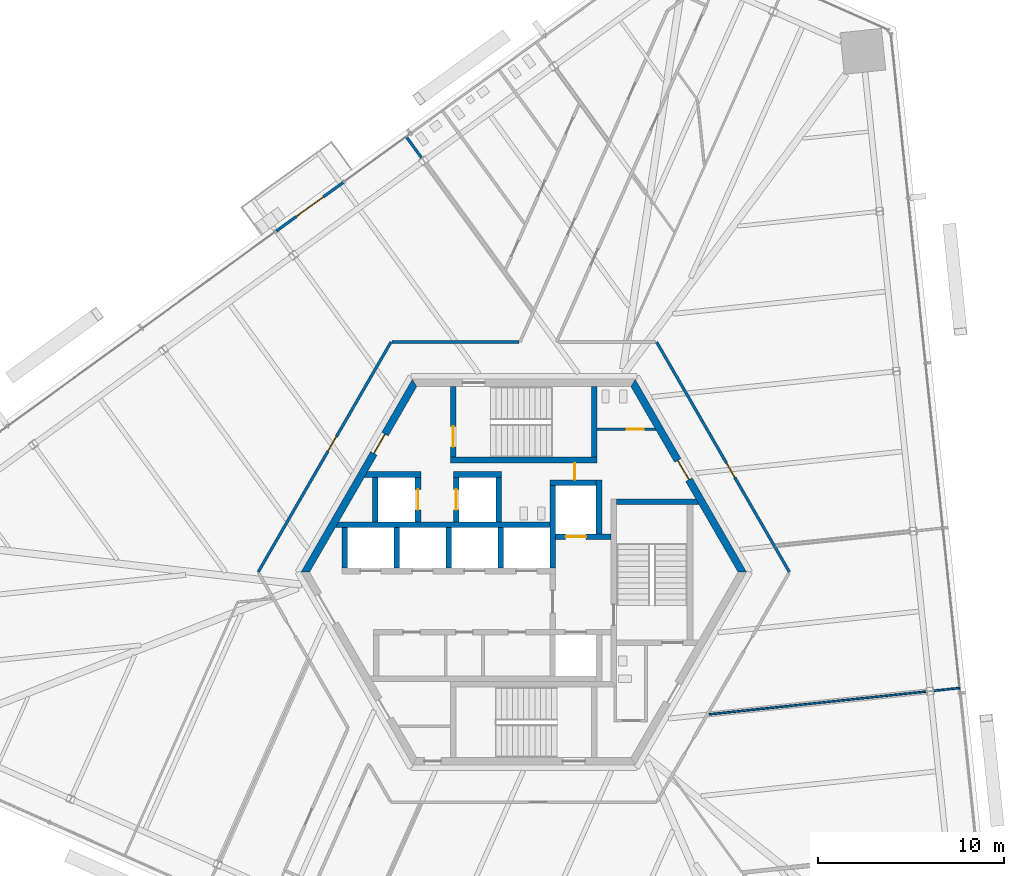
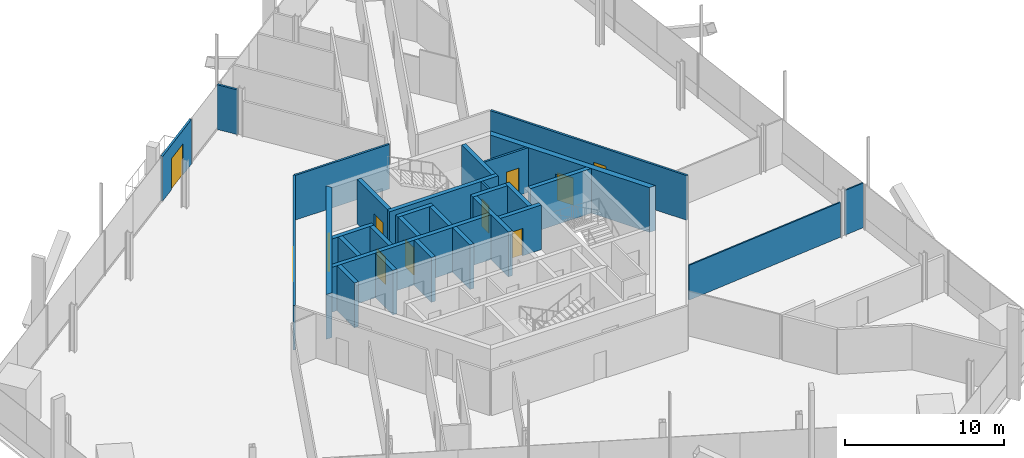
# One storey, part 13 of 21: 30 walls, 11 doors, 11 openings.
"""IFC4 building model written with IfcOpenShell, lengths in metres."""

from ifc_helpers import new_model, si_unit, direction, frame, frame_2d, origin, place, context, subcontext, project, spatial, polyline, rectangle, outline, extrude, source, transform, mapped, material, layer, layer_set, type_object, element, fill, save


model = new_model("IFC4")

# Units and contexts
model_context = context("Model", 3, precision=1e-05, world=origin(), true_north=direction((0.0, 1.0)))
body_context = subcontext(model_context, "Body", "Model", "MODEL_VIEW")
ifc_project = project(units=[si_unit("LENGTHUNIT", "METRE"), si_unit("AREAUNIT", "SQUARE_METRE"), si_unit("VOLUMEUNIT", "CUBIC_METRE"), si_unit("PLANEANGLEUNIT", "RADIAN"), si_unit("MASSUNIT", "GRAM", prefix="KILO")], contexts=[model_context])

# Site, building, storey
site_placement = place(None, origin())
site = spatial("IfcSite", under=ifc_project, at=site_placement, CompositionType="ELEMENT")
building_placement = place(site_placement, origin())
building = spatial("IfcBuilding", under=site, at=building_placement, Name="Triune Harvest Tower", CompositionType="ELEMENT")
storey_placement = place(building_placement, frame((0.0, 0.0, 65.699951171875)))
storey = spatial("IfcBuildingStorey", under=building, at=storey_placement, Name="L15", CompositionType="ELEMENT", Elevation=65.699951171875)

# Wall, opening, door
ifc_material_1 = material(Name="Concrete 70 MPa", Category="concrete")
ifc_layer_1 = layer(ifc_material_1, 0.39990234375)
ifc_layer_set_1 = layer_set([ifc_layer_1], Name="Concrete 70 MPa")
wall_type_1 = type_object("IfcWallType", Name="Core wall 400", PredefinedType="SHEAR", material=ifc_layer_set_1)
shared_shape_1 = source(origin(), body_context, "Body", "SweptSolid", [
    extrude(outline(polyline([(-0.115478515625, -0.199951171875), (11.884521484375, -0.199951171875), (11.653564453125, 0.199951171875), (0.115478515625, 0.199951171875), (-0.115478515625, -0.199951171875)])), origin(), (0.0, 0.0, 1.0), 3.43994140625),
])
wall_1_placement = place(storey_placement, frame((11.76904296875, 0.0, 0.0), z_axis=(0.0, 0.0, 1.0), x_axis=(-0.499996592174, 0.866027371285, 0.0)))
wall_1 = element("IfcWall", 1, at=wall_1_placement, inside=storey, type_object=wall_type_1, Name="Hexagon 0 wall", PredefinedType="SHEAR", context=body_context, shape_type="MappedRepresentation", body=[
    mapped(shared_shape_1, transform((0.0, 0.0, 0.0), scale=1.0)),
])
opening_1_placement = place(wall_1_placement, frame((5.75048828125, 0.0, 0.0)))
opening_1 = element("IfcOpeningElement", 2, at=opening_1_placement, cuts=wall_1, Name="Opening CD-WCP", PredefinedType="OPENING", context=body_context, shape_type="SweptSolid", body=[
    extrude(rectangle(XDim=1.199951171875, YDim=2.10009765625, at=frame_2d((0.60009765625, 1.050048828125))), frame((0.0, 0.2099609375, 0.0), z_axis=(0.0, -1.0, 0.0), x_axis=(1.0, 0.0, 0.0)), (0.0, 0.0, 1.0), 0.419921875),
])
ifc_material_2 = material(Name="Steel S235", Category="steel")
door_type_1 = type_object("IfcDoorType", Name="Lobby door 1200 FD120", OperationType="SINGLE_SWING_LEFT", PredefinedType="DOOR", material=ifc_material_2)
door_1_placement = place(opening_1_placement, frame((1.199951171875, 0.0, 0.0), z_axis=(0.0, 0.0, 1.0), x_axis=(-1.0, 0.0, 0.0)))
door_1 = element("IfcDoor", 3, at=door_1_placement, inside=storey, type_object=door_type_1, Name="Door CD-WCP", OperationType="SINGLE_SWING_RIGHT", OverallHeight=2.10009765625, OverallWidth=1.199951171875, PredefinedType="DOOR", context=body_context, shape_type="SweptSolid", body=[
    extrude(rectangle(XDim=1.199951171875, YDim=2.10009765625, at=frame_2d((0.60009765625, 1.050048828125))), frame((0.0, 0.02490234375, 0.0), z_axis=(0.0, -1.0, 0.0), x_axis=(1.0, 0.0, 0.0)), (0.0, 0.0, 1.0), 0.050048828125),
])
fill(opening_1, door_1)

wall_2_placement = place(storey_placement, frame((-5.884521484375, 10.1923828125, 0.0), z_axis=(0.0, 0.0, 1.0), x_axis=(-0.499996592174, -0.866027371285, 0.0)))
wall_2 = element("IfcWall", 4, at=wall_2_placement, inside=storey, type_object=wall_type_1, Name="Hexagon 2 wall", PredefinedType="SHEAR", context=body_context, shape_type="MappedRepresentation", body=[
    mapped(shared_shape_1, transform((0.0, 0.0, 0.0), scale=1.0)),
])
opening_2_placement = place(wall_2_placement, frame((3.1845703125, 0.0, 0.0)))
opening_2 = element("IfcOpeningElement", 5, at=opening_2_placement, cuts=wall_2, Name="Opening CD-SVP", PredefinedType="OPENING", context=body_context, shape_type="SweptSolid", body=[
    extrude(rectangle(XDim=1.199951171875, YDim=2.10009765625, at=frame_2d((0.60009765625, 1.050048828125))), frame((0.0, 0.2099609375, 0.0), z_axis=(0.0, -1.0, 0.0), x_axis=(1.0, 0.0, 0.0)), (0.0, 0.0, 1.0), 0.419921875),
])
ifc_material_3 = material(Name="Steel S235", Category="steel")
door_type_2 = type_object("IfcDoorType", Name="Service door 1200 FD120", OperationType="SINGLE_SWING_LEFT", PredefinedType="DOOR", material=ifc_material_3)
door_2_placement = place(opening_2_placement, frame((1.199951171875, 0.0, 0.0), z_axis=(0.0, 0.0, 1.0), x_axis=(-1.0, 0.0, 0.0)))
door_2 = element("IfcDoor", 6, at=door_2_placement, inside=storey, type_object=door_type_2, Name="Door CD-SVP", OperationType="SINGLE_SWING_RIGHT", OverallHeight=2.10009765625, OverallWidth=1.199951171875, PredefinedType="DOOR", context=body_context, shape_type="SweptSolid", body=[
    extrude(rectangle(XDim=1.199951171875, YDim=2.10009765625, at=frame_2d((0.60009765625, 1.050048828125))), frame((0.0, 0.02490234375, 0.0), z_axis=(0.0, -1.0, 0.0), x_axis=(1.0, 0.0, 0.0)), (0.0, 0.0, 1.0), 0.050048828125),
])
fill(opening_2, door_2)

# Walls
ifc_material_4 = material(Name="Concrete 70 MPa", Category="concrete")
ifc_layer_2 = layer(ifc_material_4, 0.300048828125)
ifc_layer_set_2 = layer_set([ifc_layer_2], Name="Concrete 70 MPa")
wall_type_2 = type_object("IfcWallType", Name="Core wall 300", PredefinedType="SHEAR", material=ifc_layer_set_2)
shared_shape_2 = source(origin(), body_context, "Body", "SweptSolid", [
    extrude(outline(polyline([(11.199951171875, -0.14990234375), (-0.34912109375, -0.14990234375), (-0.17578125, 0.14990234375), (11.199951171875, 0.14990234375), (11.199951171875, -0.14990234375)])), origin(), (0.0, 0.0, 1.0), 3.43994140625),
])
wall_3_placement = place(storey_placement, frame((-9.800048828125, 2.56005859375, 0.0), z_axis=(0.0, 0.0, 1.0), x_axis=(1.0, 0.0, 0.0)))
element("IfcWall", 7, at=wall_3_placement, inside=storey, type_object=wall_type_2, Name="North back wall", PredefinedType="SHEAR", context=body_context, shape_type="MappedRepresentation", body=[
    mapped(shared_shape_2, transform((0.0, 0.0, 0.0), scale=1.0)),
])
shared_shape_3 = source(origin(), body_context, "Body", "SweptSolid", [
    extrude(rectangle(XDim=2.5, YDim=0.300048828125, at=frame_2d((1.25, 0.0))), origin(), (0.0, 0.0, 1.0), 3.43994140625),
])
wall_4_placement = place(storey_placement, frame((1.39990234375, 4.81005859375, 0.0), z_axis=(0.0, 0.0, 1.0), x_axis=(1.0, 0.0, 0.0)))
element("IfcWall", 8, at=wall_4_placement, inside=storey, type_object=wall_type_2, Name="Ff1 back wall", PredefinedType="SHEAR", context=body_context, shape_type="MappedRepresentation", body=[
    mapped(shared_shape_3, transform((0.0, 0.0, 0.0), scale=1.0)),
])
shared_shape_4 = source(origin(), body_context, "Body", "SweptSolid", [
    extrude(rectangle(XDim=4.449951171875, YDim=0.300048828125, at=frame_2d((2.22509765625, 0.0))), origin(), (0.0, 0.0, 1.0), 3.43994140625),
])
wall_5_placement = place(storey_placement, frame((1.550048828125, 0.2099609375, 0.0), z_axis=(0.0, 0.0, 1.0), x_axis=(0.0, 1.0, 0.0)))
element("IfcWall", 9, at=wall_5_placement, inside=storey, type_object=wall_type_2, Name="Ff1 west wall", PredefinedType="SHEAR", context=body_context, shape_type="MappedRepresentation", body=[
    mapped(shared_shape_4, transform((0.0, 0.0, 0.0), scale=1.0)),
])

# Wall, opening, door
shared_shape_5 = source(origin(), body_context, "Body", "SweptSolid", [
    extrude(rectangle(XDim=3.0, YDim=0.300048828125, at=frame_2d((1.5, 0.0))), origin(), (0.0, 0.0, 1.0), 3.43994140625),
])
wall_6_placement = place(storey_placement, frame((1.699951171875, 1.909912109375, 0.0), z_axis=(0.0, 0.0, 1.0), x_axis=(1.0, 0.0, 0.0)))
wall_6 = element("IfcWall", 10, at=wall_6_placement, inside=storey, type_object=wall_type_2, Name="Ff1 front wall", PredefinedType="SHEAR", context=body_context, shape_type="MappedRepresentation", body=[
    mapped(shared_shape_5, transform((0.0, 0.0, 0.0), scale=1.0)),
])
opening_3_placement = place(wall_6_placement, frame((0.550048828125, 0.0, 0.0)))
opening_3 = element("IfcOpeningElement", 11, at=opening_3_placement, cuts=wall_6, Name="Opening LD-FF1-15", PredefinedType="OPENING", context=body_context, shape_type="SweptSolid", body=[
    extrude(rectangle(XDim=1.10009765625, YDim=2.10009765625, at=frame_2d((0.550048828125, 1.050048828125))), frame((0.0, 0.16015625, 0.0), z_axis=(0.0, -1.0, 0.0), x_axis=(1.0, 0.0, 0.0)), (0.0, 0.0, 1.0), 0.320068359375),
])
ifc_material_5 = material(Name="Stainless steel AISI 304", Category="steel")
door_type_3 = type_object("IfcDoorType", Name="Landing door 1100 x 2100", OperationType="DOUBLE_DOOR_SLIDING", PredefinedType="DOOR", material=ifc_material_5)
door_3_placement = place(opening_3_placement, origin())
door_3 = element("IfcDoor", 12, at=door_3_placement, inside=storey, type_object=door_type_3, Name="Door LD-FF1-15", OperationType="DOUBLE_DOOR_SLIDING", OverallHeight=2.10009765625, OverallWidth=1.10009765625, PredefinedType="DOOR", context=body_context, shape_type="SweptSolid", body=[
    extrude(rectangle(XDim=1.10009765625, YDim=2.10009765625, at=frame_2d((0.550048828125, 1.050048828125))), frame((0.0, 0.02490234375, 0.0), z_axis=(0.0, -1.0, 0.0), x_axis=(1.0, 0.0, 0.0)), (0.0, 0.0, 1.0), 0.050048828125),
])
fill(opening_3, door_3)

# Walls
shared_shape_6 = source(origin(), body_context, "Body", "SweptSolid", [
    extrude(rectangle(XDim=2.89990234375, YDim=0.300048828125, at=frame_2d((1.449951171875, 0.0))), origin(), (0.0, 0.0, 1.0), 3.43994140625),
])
wall_7_placement = place(storey_placement, frame((4.050048828125, 2.06005859375, 0.0), z_axis=(0.0, 0.0, 1.0), x_axis=(0.0, 1.0, 0.0)))
element("IfcWall", 13, at=wall_7_placement, inside=storey, type_object=wall_type_2, Name="Ff1 east wall", PredefinedType="SHEAR", context=body_context, shape_type="MappedRepresentation", body=[
    mapped(shared_shape_6, transform((0.0, 0.0, 0.0), scale=1.0)),
])
shared_shape_7 = source(origin(), body_context, "Body", "SweptSolid", [
    extrude(rectangle(XDim=2.199951171875, YDim=0.300048828125, at=frame_2d((1.10009765625, 0.0))), origin(), (0.0, 0.0, 1.0), 3.43994140625),
])
for number, where, z_axis, x_axis, name in (
    (14, (-9.64990234375, 0.2099609375, 0.0), (0.0, 0.0, 1.0), (0.0, 1.0, 0.0), "North end west wall"),
    (15, (-6.85009765625, 0.2099609375, 0.0), (0.0, 0.0, 1.0), (0.0, 1.0, 0.0), "North cross 1 wall"),
    (16, (-4.050048828125, 0.2099609375, 0.0), (0.0, 0.0, 1.0), (0.0, 1.0, 0.0), "North cross 2 wall"),
    (17, (-1.25, 0.2099609375, 0.0), (0.0, 0.0, 1.0), (0.0, 1.0, 0.0), "North cross 3 wall"),
):
    element("IfcWall", number, at=place(storey_placement, frame(where, z_axis=z_axis, x_axis=x_axis)), inside=storey, type_object=wall_type_2, Name=name, PredefinedType="SHEAR", context=body_context, shape_type="MappedRepresentation", body=[
        mapped(shared_shape_7, transform((0.0, 0.0, 0.0), scale=1.0)),
    ])
shared_shape_8 = source(origin(), body_context, "Body", "SweptSolid", [
    extrude(outline(polyline([(0.0, -0.14990234375), (0.0, 0.14990234375), (4.260009765625, 0.14990234375), (4.43310546875, -0.14990234375), (0.0, -0.14990234375)])), origin(), (0.0, 0.0, 1.0), 3.43994140625),
])
wall_8_placement = place(storey_placement, frame((5.0, 3.800048828125, 0.0), z_axis=(0.0, 0.0, 1.0), x_axis=(1.0, 0.0, 0.0)))
element("IfcWall", 18, at=wall_8_placement, inside=storey, type_object=wall_type_2, Name="Stair e north wall", PredefinedType="SHEAR", context=body_context, shape_type="MappedRepresentation", body=[
    mapped(shared_shape_8, transform((0.0, 0.0, 0.0), scale=1.0)),
])
shared_shape_9 = source(origin(), body_context, "Body", "SweptSolid", [
    extrude(rectangle(XDim=7.89990234375, YDim=0.300048828125, at=frame_2d((3.949951171875, 0.0))), origin(), (0.0, 0.0, 1.0), 3.43994140625),
])
wall_9_placement = place(storey_placement, frame((-3.949951171875, 6.0400390625, 0.0), z_axis=(0.0, 0.0, 1.0), x_axis=(1.0, 0.0, 0.0)))
element("IfcWall", 19, at=wall_9_placement, inside=storey, type_object=wall_type_2, Name="Stair n south wall", PredefinedType="SHEAR", context=body_context, shape_type="MappedRepresentation", body=[
    mapped(shared_shape_9, transform((0.0, 0.0, 0.0), scale=1.0)),
])

# Wall, opening, door
shared_shape_10 = source(origin(), body_context, "Body", "SweptSolid", [
    extrude(outline(polyline([(0.0, -0.14990234375), (0.0, 0.14990234375), (3.80419921875, 0.14990234375), (3.80419921875, -0.14990234375), (0.0, -0.14990234375)])), origin(), (0.0, 0.0, 1.0), 3.43994140625),
])
wall_10_placement = place(storey_placement, frame((-3.800048828125, 6.18994140625, 0.0), z_axis=(0.0, 0.0, 1.0), x_axis=(0.0, 1.0, 0.0)))
wall_10 = element("IfcWall", 20, at=wall_10_placement, inside=storey, type_object=wall_type_2, Name="Stair n west wall", PredefinedType="SHEAR", context=body_context, shape_type="MappedRepresentation", body=[
    mapped(shared_shape_10, transform((0.0, 0.0, 0.0), scale=1.0)),
])
opening_4_placement = place(wall_10_placement, frame((0.56005859375, 0.0, 0.0)))
opening_4 = element("IfcOpeningElement", 21, at=opening_4_placement, cuts=wall_10, Name="Opening CD-S1L", PredefinedType="OPENING", context=body_context, shape_type="SweptSolid", body=[
    extrude(rectangle(XDim=1.10009765625, YDim=2.10009765625, at=frame_2d((0.550048828125, 1.050048828125))), frame((0.0, 0.16015625, 0.0), z_axis=(0.0, -1.0, 0.0), x_axis=(1.0, 0.0, 0.0)), (0.0, 0.0, 1.0), 0.320068359375),
])
ifc_material_6 = material(Name="Steel S235", Category="steel")
door_type_4 = type_object("IfcDoorType", Name="Stair door 1100 FD120", OperationType="SINGLE_SWING_LEFT", PredefinedType="DOOR", material=ifc_material_6)
door_4_placement = place(opening_4_placement, frame((1.10009765625, 0.0, 0.0), z_axis=(0.0, 0.0, 1.0), x_axis=(-1.0, 0.0, 0.0)))
door_4 = element("IfcDoor", 22, at=door_4_placement, inside=storey, type_object=door_type_4, Name="Door CD-S1L", OperationType="SINGLE_SWING_RIGHT", OverallHeight=2.10009765625, OverallWidth=1.10009765625, PredefinedType="DOOR", context=body_context, shape_type="SweptSolid", body=[
    extrude(rectangle(XDim=1.10009765625, YDim=2.10009765625, at=frame_2d((0.550048828125, 1.050048828125))), frame((0.0, 0.02490234375, 0.0), z_axis=(0.0, -1.0, 0.0), x_axis=(1.0, 0.0, 0.0)), (0.0, 0.0, 1.0), 0.050048828125),
])
fill(opening_4, door_4)

# Walls
wall_11_placement = place(storey_placement, frame((3.800048828125, 6.18994140625, 0.0), z_axis=(0.0, 0.0, 1.0), x_axis=(0.0, 1.0, 0.0)))
element("IfcWall", 23, at=wall_11_placement, inside=storey, type_object=wall_type_2, Name="Stair n east wall", PredefinedType="SHEAR", context=body_context, shape_type="MappedRepresentation", body=[
    mapped(shared_shape_10, transform((0.0, 0.0, 0.0), scale=1.0)),
])
shared_shape_11 = source(origin(), body_context, "Body", "SweptSolid", [
    extrude(outline(polyline([(2.60009765625, -0.14990234375), (-0.440185546875, -0.14990234375), (-0.26708984375, 0.14990234375), (2.60009765625, 0.14990234375), (2.60009765625, -0.14990234375)])), origin(), (0.0, 0.0, 1.0), 3.43994140625),
])
wall_12_placement = place(storey_placement, frame((-8.14990234375, 5.260009765625, 0.0), z_axis=(0.0, 0.0, 1.0), x_axis=(1.0, 0.0, 0.0)))
element("IfcWall", 24, at=wall_12_placement, inside=storey, type_object=wall_type_2, Name="Sv1 north wall", PredefinedType="SHEAR", context=body_context, shape_type="MappedRepresentation", body=[
    mapped(shared_shape_11, transform((0.0, 0.0, 0.0), scale=1.0)),
])
shared_shape_12 = source(origin(), body_context, "Body", "SweptSolid", [
    extrude(rectangle(XDim=2.400146484375, YDim=0.300048828125, at=frame_2d((1.2001953125, 0.0))), origin(), (0.0, 0.0, 1.0), 3.43994140625),
])
wall_13_placement = place(storey_placement, frame((-8.0, 2.7099609375, 0.0), z_axis=(0.0, 0.0, 1.0), x_axis=(0.0, 1.0, 0.0)))
element("IfcWall", 25, at=wall_13_placement, inside=storey, type_object=wall_type_2, Name="Sv1 west wall", PredefinedType="SHEAR", context=body_context, shape_type="MappedRepresentation", body=[
    mapped(shared_shape_12, transform((0.0, 0.0, 0.0), scale=1.0)),
])

# Wall, opening, door
wall_14_placement = place(storey_placement, frame((-5.699951171875, 2.7099609375, 0.0), z_axis=(0.0, 0.0, 1.0), x_axis=(0.0, 1.0, 0.0)))
wall_14 = element("IfcWall", 26, at=wall_14_placement, inside=storey, type_object=wall_type_2, Name="Sv1 east wall", PredefinedType="SHEAR", context=body_context, shape_type="MappedRepresentation", body=[
    mapped(shared_shape_12, transform((0.0, 0.0, 0.0), scale=1.0)),
])
opening_5_placement = place(wall_14_placement, frame((0.64990234375, 0.0, 0.0)))
opening_5 = element("IfcOpeningElement", 27, at=opening_5_placement, cuts=wall_14, Name="Opening LD-SV1-15", PredefinedType="OPENING", context=body_context, shape_type="SweptSolid", body=[
    extrude(rectangle(XDim=1.10009765625, YDim=2.10009765625, at=frame_2d((0.550048828125, 1.050048828125))), frame((0.0, 0.16015625, 0.0), z_axis=(0.0, -1.0, 0.0), x_axis=(1.0, 0.0, 0.0)), (0.0, 0.0, 1.0), 0.320068359375),
])
door_5_placement = place(opening_5_placement, origin())
door_5 = element("IfcDoor", 28, at=door_5_placement, inside=storey, type_object=door_type_3, Name="Door LD-SV1-15", OperationType="DOUBLE_DOOR_SLIDING", OverallHeight=2.10009765625, OverallWidth=1.10009765625, PredefinedType="DOOR", context=body_context, shape_type="SweptSolid", body=[
    extrude(rectangle(XDim=1.10009765625, YDim=2.10009765625, at=frame_2d((0.550048828125, 1.050048828125))), frame((0.0, 0.02490234375, 0.0), z_axis=(0.0, -1.0, 0.0), x_axis=(1.0, 0.0, 0.0)), (0.0, 0.0, 1.0), 0.050048828125),
])
fill(opening_5, door_5)

wall_15_placement = place(storey_placement, frame((-3.64990234375, 2.7099609375, 0.0), z_axis=(0.0, 0.0, 1.0), x_axis=(0.0, 1.0, 0.0)))
wall_15 = element("IfcWall", 29, at=wall_15_placement, inside=storey, type_object=wall_type_2, Name="Sv2 west wall", PredefinedType="SHEAR", context=body_context, shape_type="MappedRepresentation", body=[
    mapped(shared_shape_12, transform((0.0, 0.0, 0.0), scale=1.0)),
])
opening_6_placement = place(wall_15_placement, frame((0.64990234375, 0.0, 0.0)))
opening_6 = element("IfcOpeningElement", 30, at=opening_6_placement, cuts=wall_15, Name="Opening LD-SV2-15", PredefinedType="OPENING", context=body_context, shape_type="SweptSolid", body=[
    extrude(rectangle(XDim=1.10009765625, YDim=2.10009765625, at=frame_2d((0.550048828125, 1.050048828125))), frame((0.0, 0.16015625, 0.0), z_axis=(0.0, -1.0, 0.0), x_axis=(1.0, 0.0, 0.0)), (0.0, 0.0, 1.0), 0.320068359375),
])
door_6_placement = place(opening_6_placement, origin())
door_6 = element("IfcDoor", 31, at=door_6_placement, inside=storey, type_object=door_type_3, Name="Door LD-SV2-15", OperationType="DOUBLE_DOOR_SLIDING", OverallHeight=2.10009765625, OverallWidth=1.10009765625, PredefinedType="DOOR", context=body_context, shape_type="SweptSolid", body=[
    extrude(rectangle(XDim=1.10009765625, YDim=2.10009765625, at=frame_2d((0.550048828125, 1.050048828125))), frame((0.0, 0.02490234375, 0.0), z_axis=(0.0, -1.0, 0.0), x_axis=(1.0, 0.0, 0.0)), (0.0, 0.0, 1.0), 0.050048828125),
])
fill(opening_6, door_6)

# Walls
wall_16_placement = place(storey_placement, frame((-1.35009765625, 2.7099609375, 0.0), z_axis=(0.0, 0.0, 1.0), x_axis=(0.0, 1.0, 0.0)))
element("IfcWall", 32, at=wall_16_placement, inside=storey, type_object=wall_type_2, Name="Sv2 east wall", PredefinedType="SHEAR", context=body_context, shape_type="MappedRepresentation", body=[
    mapped(shared_shape_12, transform((0.0, 0.0, 0.0), scale=1.0)),
])
shared_shape_13 = source(origin(), body_context, "Body", "SweptSolid", [
    extrude(rectangle(XDim=2.60009765625, YDim=0.300048828125, at=frame_2d((1.300048828125, 0.0))), origin(), (0.0, 0.0, 1.0), 3.43994140625),
])
wall_17_placement = place(storey_placement, frame((-3.800048828125, 5.260009765625, 0.0), z_axis=(0.0, 0.0, 1.0), x_axis=(1.0, 0.0, 0.0)))
element("IfcWall", 33, at=wall_17_placement, inside=storey, type_object=wall_type_2, Name="Sv2 north wall", PredefinedType="SHEAR", context=body_context, shape_type="MappedRepresentation", body=[
    mapped(shared_shape_13, transform((0.0, 0.0, 0.0), scale=1.0)),
])

# Wall, opening, door
ifc_material_7 = material(Name="Concrete masonry unit", Category="masonry")
ifc_layer_3 = layer(ifc_material_7, 0.14990234375)
ifc_layer_set_3 = layer_set([ifc_layer_3], Name="Concrete masonry unit")
wall_type_3 = type_object("IfcWallType", Name="Block partition 150 unrated", PredefinedType="PARTITIONING", material=ifc_layer_set_3)
shared_shape_14 = source(origin(), body_context, "Body", "SweptSolid", [
    extrude(outline(polyline([(0.0, -0.074951171875), (0.0, 0.074951171875), (3.1015625, 0.074951171875), (3.18798828125, -0.074951171875), (0.0, -0.074951171875)])), origin(), (0.0, 0.0, 1.0), 3.43994140625),
])
wall_18_placement = place(storey_placement, frame((3.949951171875, 7.699951171875, 0.0), z_axis=(0.0, 0.0, 1.0), x_axis=(1.0, 0.0, 0.0)))
wall_18 = element("IfcWall", 34, at=wall_18_placement, inside=storey, type_object=wall_type_3, Name="Wc women south wall", PredefinedType="PARTITIONING", context=body_context, shape_type="MappedRepresentation", body=[
    mapped(shared_shape_14, transform((0.0, 0.0, 0.0), scale=1.0)),
])
opening_7_placement = place(wall_18_placement, frame((1.60009765625, 0.0, 0.0)))
opening_7 = element("IfcOpeningElement", 35, at=opening_7_placement, cuts=wall_18, Name="Opening CD-WW", PredefinedType="OPENING", context=body_context, shape_type="SweptSolid", body=[
    extrude(rectangle(XDim=0.89990234375, YDim=2.10009765625, at=frame_2d((0.449951171875, 1.050048828125))), frame((0.0, 0.0849609375, 0.0), z_axis=(0.0, -1.0, 0.0), x_axis=(1.0, 0.0, 0.0)), (0.0, 0.0, 1.0), 0.169921875),
])
ifc_material_8 = material(Name="Timber C24", Category="wood")
door_type_5 = type_object("IfcDoorType", Name="WC door 900", OperationType="SINGLE_SWING_LEFT", PredefinedType="DOOR", material=ifc_material_8)
door_7_placement = place(opening_7_placement, origin())
door_7 = element("IfcDoor", 36, at=door_7_placement, inside=storey, type_object=door_type_5, Name="Door CD-WW", OperationType="SINGLE_SWING_LEFT", OverallHeight=2.10009765625, OverallWidth=0.89990234375, PredefinedType="DOOR", context=body_context, shape_type="SweptSolid", body=[
    extrude(rectangle(XDim=0.89990234375, YDim=2.10009765625, at=frame_2d((0.449951171875, 1.050048828125))), frame((0.0, 0.02490234375, 0.0), z_axis=(0.0, -1.0, 0.0), x_axis=(1.0, 0.0, 0.0)), (0.0, 0.0, 1.0), 0.050048828125),
])
fill(opening_7, door_7)

shared_shape_15 = source(origin(), body_context, "Body", "SweptSolid", [
    extrude(rectangle(XDim=0.929931640625, YDim=0.14990234375, at=frame_2d((0.46484375, 0.0))), origin(), (0.0, 0.0, 1.0), 3.43994140625),
])
wall_19_placement = place(storey_placement, frame((2.75, 4.9599609375, 0.0), z_axis=(0.0, 0.0, 1.0), x_axis=(0.0, 1.0, 0.0)))
wall_19 = element("IfcWall", 37, at=wall_19_placement, inside=storey, type_object=wall_type_3, Name="Wc men east b wall", PredefinedType="PARTITIONING", context=body_context, shape_type="MappedRepresentation", body=[
    mapped(shared_shape_15, transform((0.0, 0.0, 0.0), scale=1.0)),
])
opening_8_placement = place(wall_19_placement, frame((0.014892578125, 0.0, 0.0)))
opening_8 = element("IfcOpeningElement", 38, at=opening_8_placement, cuts=wall_19, Name="Opening CD-WM", PredefinedType="OPENING", context=body_context, shape_type="SweptSolid", body=[
    extrude(rectangle(XDim=0.89990234375, YDim=2.10009765625, at=frame_2d((0.449951171875, 1.050048828125))), frame((0.0, 0.0849609375, 0.0), z_axis=(0.0, -1.0, 0.0), x_axis=(1.0, 0.0, 0.0)), (0.0, 0.0, 1.0), 0.169921875),
])
door_8_placement = place(opening_8_placement, origin())
door_8 = element("IfcDoor", 39, at=door_8_placement, inside=storey, type_object=door_type_5, Name="Door CD-WM", OperationType="SINGLE_SWING_LEFT", OverallHeight=2.10009765625, OverallWidth=0.89990234375, PredefinedType="DOOR", context=body_context, shape_type="SweptSolid", body=[
    extrude(rectangle(XDim=0.89990234375, YDim=2.10009765625, at=frame_2d((0.449951171875, 1.050048828125))), frame((0.0, 0.02490234375, 0.0), z_axis=(0.0, -1.0, 0.0), x_axis=(1.0, 0.0, 0.0)), (0.0, 0.0, 1.0), 0.050048828125),
])
fill(opening_8, door_8)

ifc_material_9 = material(Name="Aluminium bronze anodised", Category="aluminium")
ifc_layer_4 = layer(ifc_material_9, 0.14990234375)
ifc_layer_set_4 = layer_set([ifc_layer_4], Name="Aluminium bronze anodised")
wall_type_4 = type_object("IfcWallType", Name="WW-2 balcony window wall", PredefinedType="ELEMENTEDWALL", material=ifc_layer_set_4)
shared_shape_16 = source(origin(), body_context, "Body", "SweptSolid", [
    extrude(rectangle(XDim=4.485595703125, YDim=0.14990234375, at=frame_2d((2.24267578125, 0.0))), origin(), (0.0, 0.0, 1.0), 3.43994140625),
])
wall_20_placement = place(storey_placement, frame((-13.34130859375, 18.36279296875, 0.0), z_axis=(0.0, 0.0, 1.0), x_axis=(0.8089996052, 0.587809185694, 0.0)))
wall_20 = element("IfcWall", 40, at=wall_20_placement, inside=storey, type_object=wall_type_4, Name="WW-2 B2-F3 L15.6", PredefinedType="ELEMENTEDWALL", context=body_context, shape_type="MappedRepresentation", body=[
    mapped(shared_shape_16, transform((0.0, 0.0, 0.0), scale=1.0)),
])
opening_9_placement = place(wall_20_placement, frame((1.3427734375, 0.0, 0.0)))
opening_9 = element("IfcOpeningElement", 41, at=opening_9_placement, cuts=wall_20, Name="Opening L15-E01", PredefinedType="OPENING", context=body_context, shape_type="SweptSolid", body=[
    extrude(rectangle(XDim=1.800048828125, YDim=2.39990234375, at=frame_2d((0.89990234375, 1.199951171875))), frame((0.0, 0.0849609375, 0.0), z_axis=(0.0, -1.0, 0.0), x_axis=(1.0, 0.0, 0.0)), (0.0, 0.0, 1.0), 0.169921875),
])
ifc_material_10 = material(Name="Glass", Category="glass")
door_type_6 = type_object("IfcDoorType", Name="DB-1 balcony door 1800 x 2400", OperationType="DOUBLE_DOOR_SINGLE_SWING", PredefinedType="DOOR", material=ifc_material_10)
door_9_placement = place(opening_9_placement, origin())
door_9 = element("IfcDoor", 42, at=door_9_placement, inside=storey, type_object=door_type_6, Name="Door L15-E01", OperationType="DOUBLE_DOOR_SINGLE_SWING", OverallHeight=2.39990234375, OverallWidth=1.800048828125, PredefinedType="DOOR", context=body_context, shape_type="SweptSolid", body=[
    extrude(rectangle(XDim=1.800048828125, YDim=2.39990234375, at=frame_2d((0.89990234375, 1.199951171875))), frame((0.0, 0.02490234375, 0.0), z_axis=(0.0, -1.0, 0.0), x_axis=(1.0, 0.0, 0.0)), (0.0, 0.0, 1.0), 0.050048828125),
])
fill(opening_9, door_9)

ifc_material_11 = material(Name="Gypsum board on steel studs", Category="steel")
ifc_layer_5 = layer(ifc_material_11, 0.14990234375)
ifc_layer_set_5 = layer_set([ifc_layer_5], Name="Gypsum board on steel studs")
wall_type_5 = type_object("IfcWallType", Name="Fire Partition 150 mm", PredefinedType="PARTITIONING", material=ifc_layer_set_5)
shared_shape_17 = source(origin(), body_context, "Body", "SweptSolid", [
    extrude(rectangle(XDim=14.309326171875, YDim=0.14990234375, at=frame_2d((7.15478515625, 0.0))), origin(), (0.0, 0.0, 1.0), 3.43994140625),
])
wall_21_placement = place(storey_placement, frame((7.15478515625, 12.392333984375, 0.0), z_axis=(0.0, 0.0, 1.0), x_axis=(0.499990757089, -0.866030740116, 0.0)))
wall_21 = element("IfcWall", 43, at=wall_21_placement, inside=storey, type_object=wall_type_5, Name="Partition L15 004", PredefinedType="PARTITIONING", context=body_context, shape_type="MappedRepresentation", body=[
    mapped(shared_shape_17, transform((0.0, 0.0, 0.0), scale=1.0)),
])
opening_10_placement = place(wall_21_placement, frame((7.52197265625, 0.0, 0.0)))
opening_10 = element("IfcOpeningElement", 44, at=opening_10_placement, cuts=wall_21, Name="Opening L15-004", PredefinedType="OPENING", context=body_context, shape_type="SweptSolid", body=[
    extrude(rectangle(XDim=0.89990234375, YDim=2.10009765625, at=frame_2d((0.449951171875, 1.050048828125))), frame((0.0, 0.0849609375, 0.0), z_axis=(0.0, -1.0, 0.0), x_axis=(1.0, 0.0, 0.0)), (0.0, 0.0, 1.0), 0.169921875),
])
ifc_material_12 = material(Name="Timber and steel door set", Category="steel")
door_type_7 = type_object("IfcDoorType", Name="Single leaf door FD30 right hand 900 x 2100", OperationType="SINGLE_SWING_RIGHT", PredefinedType="DOOR", material=ifc_material_12)
door_10_placement = place(opening_10_placement, origin())
door_10 = element("IfcDoor", 45, at=door_10_placement, inside=storey, type_object=door_type_7, Name="Door L15-004 Food Laboratory 15.04", OperationType="SINGLE_SWING_RIGHT", OverallHeight=2.10009765625, OverallWidth=0.89990234375, PredefinedType="DOOR", context=body_context, shape_type="SweptSolid", body=[
    extrude(rectangle(XDim=0.89990234375, YDim=2.10009765625, at=frame_2d((0.449951171875, 1.050048828125))), frame((0.0, 0.02490234375, 0.0), z_axis=(0.0, -1.0, 0.0), x_axis=(1.0, 0.0, 0.0)), (0.0, 0.0, 1.0), 0.050048828125),
])
fill(opening_10, door_10)

wall_22_placement = place(storey_placement, frame((-14.309326171875, 0.0, 0.0), z_axis=(0.0, 0.0, 1.0), x_axis=(0.499990757089, 0.866030740116, 0.0)))
wall_22 = element("IfcWall", 46, at=wall_22_placement, inside=storey, type_object=wall_type_5, Name="Partition L15 031", PredefinedType="PARTITIONING", context=body_context, shape_type="MappedRepresentation", body=[
    mapped(shared_shape_17, transform((0.0, 0.0, 0.0), scale=1.0)),
])
opening_11_placement = place(wall_22_placement, frame((7.522216796875, 0.0, 0.0)))
opening_11 = element("IfcOpeningElement", 47, at=opening_11_placement, cuts=wall_22, Name="Opening L15-013", PredefinedType="OPENING", context=body_context, shape_type="SweptSolid", body=[
    extrude(rectangle(XDim=0.89990234375, YDim=2.10009765625, at=frame_2d((0.449951171875, 1.050048828125))), frame((0.0, 0.0849609375, 0.0), z_axis=(0.0, -1.0, 0.0), x_axis=(1.0, 0.0, 0.0)), (0.0, 0.0, 1.0), 0.169921875),
])
door_11_placement = place(opening_11_placement, origin())
door_11 = element("IfcDoor", 48, at=door_11_placement, inside=storey, type_object=door_type_7, Name="Door L15-013 Open Office 15.13", OperationType="SINGLE_SWING_RIGHT", OverallHeight=2.10009765625, OverallWidth=0.89990234375, PredefinedType="DOOR", context=body_context, shape_type="SweptSolid", body=[
    extrude(rectangle(XDim=0.89990234375, YDim=2.10009765625, at=frame_2d((0.449951171875, 1.050048828125))), frame((0.0, 0.02490234375, 0.0), z_axis=(0.0, -1.0, 0.0), x_axis=(1.0, 0.0, 0.0)), (0.0, 0.0, 1.0), 0.050048828125),
])
fill(opening_11, door_11)

# Walls
shared_shape_18 = source(origin(), body_context, "Body", "SweptSolid", [
    extrude(rectangle(XDim=1.41845703125, YDim=0.14990234375, at=frame_2d((0.709228515625, 0.0))), origin(), (0.0, 0.0, 1.0), 3.43994140625),
])
wall_23_placement = place(storey_placement, frame((-6.33349609375, 23.454345703125, 0.0), z_axis=(0.0, 0.0, 1.0), x_axis=(0.587813429905, -0.808996521392, 0.0)))
element("IfcWall", 49, at=wall_23_placement, inside=storey, type_object=wall_type_5, Name="Partition L15 008", PredefinedType="PARTITIONING", context=body_context, shape_type="MappedRepresentation", body=[
    mapped(shared_shape_18, transform((0.0, 0.0, 0.0), scale=1.0)),
])
shared_shape_19 = source(origin(), body_context, "Body", "SweptSolid", [
    extrude(rectangle(XDim=6.845947265625, YDim=0.14990234375, at=frame_2d((3.4228515625, 0.0))), origin(), (0.0, 0.0, 1.0), 3.43994140625),
])
wall_24_placement = place(storey_placement, frame((-7.104736328125, 12.392333984375, 0.0), z_axis=(0.0, 0.0, 1.0), x_axis=(1.0, 0.0, 0.0)))
element("IfcWall", 50, at=wall_24_placement, inside=storey, type_object=wall_type_5, Name="Partition L15 020", PredefinedType="PARTITIONING", context=body_context, shape_type="MappedRepresentation", body=[
    mapped(shared_shape_19, transform((0.0, 0.0, 0.0), scale=1.0)),
])
ifc_material_13 = material(Name="Gypsum board on steel studs", Category="steel")
ifc_layer_6 = layer(ifc_material_13, 0.10009765625)
ifc_layer_set_6 = layer_set([ifc_layer_6], Name="Gypsum board on steel studs")
wall_type_6 = type_object("IfcWallType", Name="Partition 100 mm", PredefinedType="PARTITIONING", material=ifc_layer_set_6)
shared_shape_20 = source(origin(), body_context, "Body", "SweptSolid", [
    extrude(rectangle(XDim=11.78125, YDim=0.10009765625, at=frame_2d((5.890625, 0.0))), origin(), (0.0, 0.0, 1.0), 2.68310546875),
])
wall_25_placement = place(storey_placement, frame((9.979736328125, -7.660888671875, 0.0), z_axis=(0.0, 0.0, 1.0), x_axis=(0.994522245338, 0.10452513347, 0.0)))
element("IfcWall", 51, at=wall_25_placement, inside=storey, type_object=wall_type_6, Name="Partition L15 024", PredefinedType="PARTITIONING", context=body_context, shape_type="MappedRepresentation", body=[
    mapped(shared_shape_20, transform((0.0, 0.0, 0.0), scale=1.0)),
])
shared_shape_21 = source(origin(), body_context, "Body", "SweptSolid", [
    extrude(rectangle(XDim=1.418701171875, YDim=0.10009765625, at=frame_2d((0.70947265625, 0.0))), origin(), (0.0, 0.0, 1.0), 3.43994140625),
])
wall_26_placement = place(storey_placement, frame((22.068115234375, -6.390380859375, 0.0), z_axis=(0.0, 0.0, 1.0), x_axis=(0.994529002172, 0.104460824419, 0.0)))
element("IfcWall", 52, at=wall_26_placement, inside=storey, type_object=wall_type_6, Name="Partition L15 025", PredefinedType="PARTITIONING", context=body_context, shape_type="MappedRepresentation", body=[
    mapped(shared_shape_21, transform((0.0, 0.0, 0.0), scale=1.0)),
])

save(model, "model.ifc")
